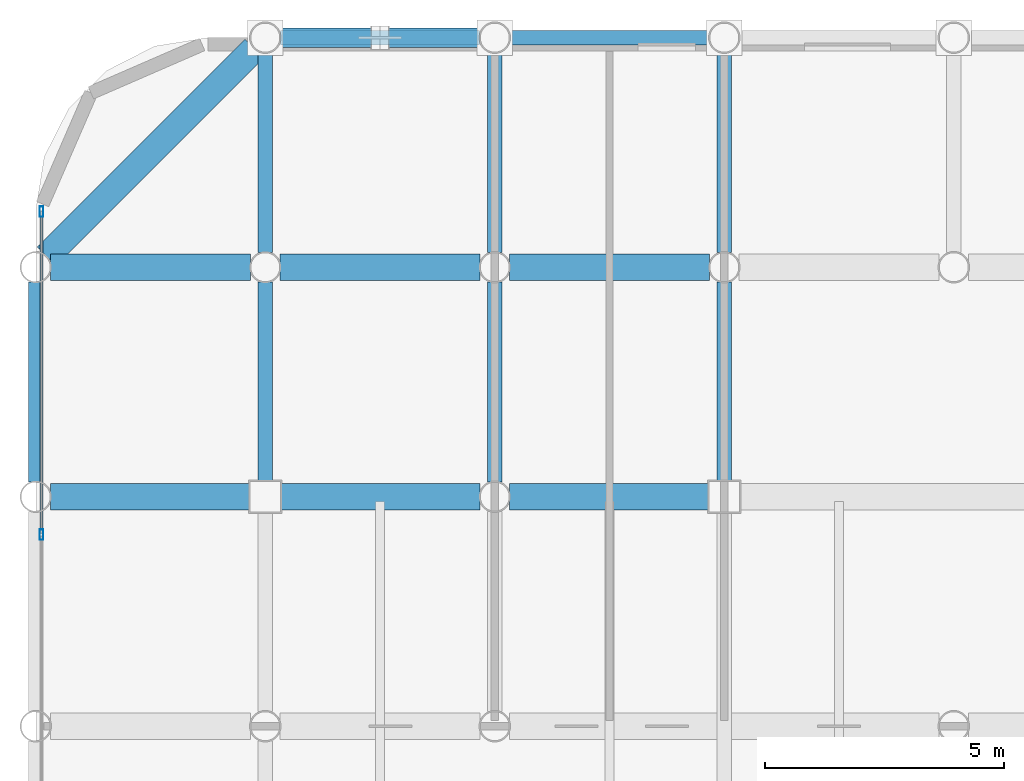
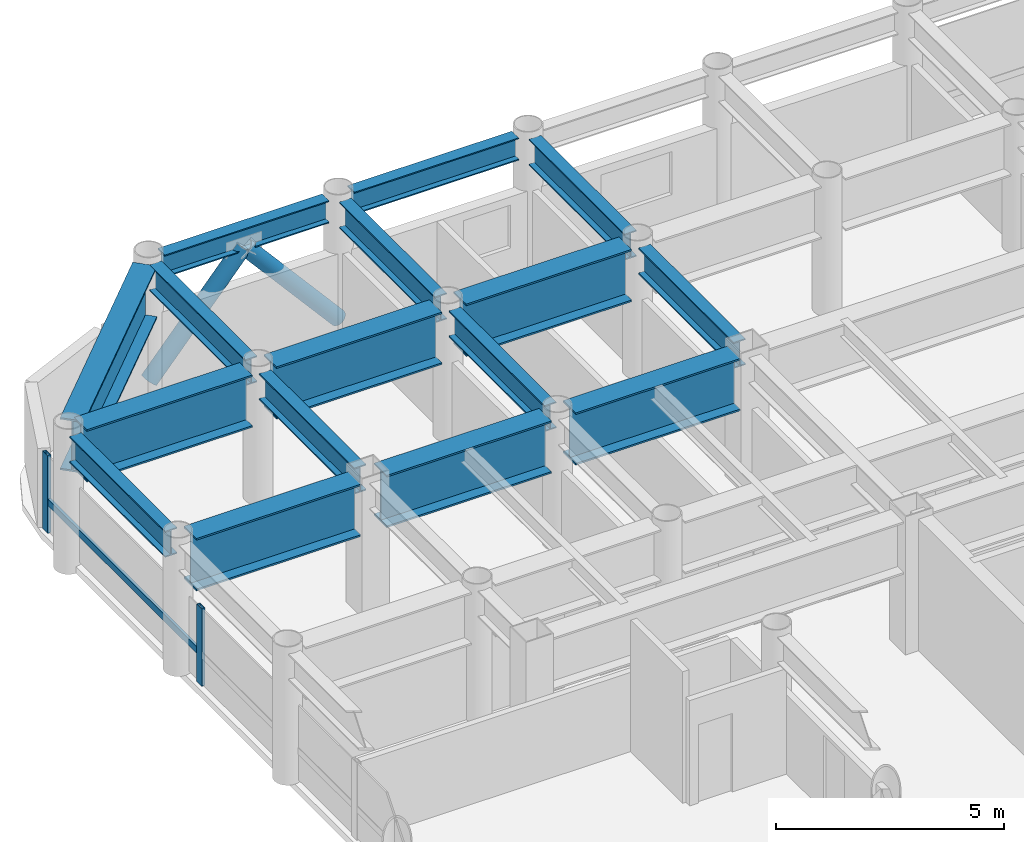
# One storey, part 11 of 22: 16 beams, 5 members, 1 element without a shape of its own.
"""IFC4 building model written with IfcOpenShell, lengths in metres."""

from ifc_helpers import new_model, si_unit, direction, frame, origin, origin_2d, place, context, subcontext, project, spatial, hollow_rectangle, hollow_circle, i_section, extrude, material, layer, layer_set, material_profile, profile_set, type_object, element, aggregate, save


model = new_model("IFC4")

# Units and contexts
model_context = context("Model", 3, precision=1e-05, world=origin(), true_north=direction((0.0, 1.0)))
body_context = subcontext(model_context, "Body", "Model", "MODEL_VIEW")
ifc_project = project(units=[si_unit("LENGTHUNIT", "METRE"), si_unit("AREAUNIT", "SQUARE_METRE"), si_unit("VOLUMEUNIT", "CUBIC_METRE"), si_unit("PLANEANGLEUNIT", "RADIAN"), si_unit("MASSUNIT", "GRAM", prefix="KILO")], contexts=[model_context])

# Site, building, storey
site_placement = place(None, origin())
site = spatial("IfcSite", under=ifc_project, at=site_placement, CompositionType="ELEMENT")
building_placement = place(site_placement, origin())
building = spatial("IfcBuilding", under=site, at=building_placement, Name="Kallvorn Hotel Tower", CompositionType="ELEMENT")
storey_placement = place(building_placement, frame((0.0, 0.0, 95.199951171875)))
storey = spatial("IfcBuildingStorey", under=building, at=storey_placement, Name="L22", CompositionType="ELEMENT", Elevation=95.199951171875)

# Beams
ifc_material_1 = material(Name="Structural steel S355JR", Category="steel")
ifc_material_profile_1 = material_profile(ifc_material_1, i_section(OverallWidth=0.300048828125, OverallDepth=0.60009765625, WebThickness=0.015380859375, FlangeThickness=0.030029296875, at=origin_2d()), Name="HE 600 B")
ifc_profile_set_1 = profile_set([ifc_material_profile_1], Name="Structural steel S355JR")
beam_type_1 = type_object("IfcBeamType", Name="BM_HE600B", PredefinedType="SPANDREL", material=ifc_profile_set_1)
for number, where, z_axis, x_axis, name in (
    (1, (-23.679931640625, 24.0, 3.219970703125), (1.0, 0.0, 0.0), (0.0, 1.0, 0.0), "L23 Perimeter Spandrel 163"),
    (2, (-18.8798828125, 24.0, 3.219970703125), (1.0, 0.0, 0.0), (0.0, 1.0, 0.0), "L23 Perimeter Spandrel 164"),
):
    element("IfcBeam", number, at=place(storey_placement, frame(where, z_axis=z_axis, x_axis=x_axis)), inside=storey, type_object=beam_type_1, Name=name, PredefinedType="SPANDREL", context=body_context, shape_type="SweptSolid", body=[
        extrude(i_section(OverallWidth=0.300048828125, OverallDepth=0.60009765625, WebThickness=0.015380859375, FlangeThickness=0.030029296875, at=origin_2d()), origin(), (0.0, 0.0, 1.0), 4.159912109375),
    ])
ifc_material_2 = material(Name="Structural steel S355JR", Category="steel")
ifc_material_profile_2 = material_profile(ifc_material_2, i_section(OverallWidth=0.300048828125, OverallDepth=0.699951171875, WebThickness=0.01708984375, FlangeThickness=0.031982421875, at=origin_2d()), Name="HE 700 B")
ifc_profile_set_2 = profile_set([ifc_material_profile_2], Name="Structural steel S355JR")
beam_type_2 = type_object("IfcBeamType", Name="BM_HE700B", PredefinedType="BEAM", material=ifc_profile_set_2)
beam_1_placement = place(storey_placement, frame((-28.800048828125, 14.705078125, 3.170166015625), z_axis=(0.0, 1.0, 0.0), x_axis=(-1.0, 0.0, 0.0)))
element("IfcBeam", 3, at=beam_1_placement, inside=storey, type_object=beam_type_2, Name="L23 Primary Y-Girder 80", PredefinedType="BEAM", context=body_context, shape_type="SweptSolid", body=[
    extrude(i_section(OverallWidth=0.300048828125, OverallDepth=0.699951171875, WebThickness=0.01708984375, FlangeThickness=0.031982421875, at=origin_2d()), origin(), (0.0, 0.0, 1.0), 4.18994140625),
])
beam_2_placement = place(storey_placement, frame((-24.0, 14.72509765625, 3.170166015625), z_axis=(0.0, 1.0, 0.0), x_axis=(-1.0, 0.0, 0.0)))
element("IfcBeam", 4, at=beam_2_placement, inside=storey, type_object=beam_type_2, Name="L23 Primary Y-Girder 86", PredefinedType="BEAM", context=body_context, shape_type="SweptSolid", body=[
    extrude(i_section(OverallWidth=0.300048828125, OverallDepth=0.699951171875, WebThickness=0.01708984375, FlangeThickness=0.031982421875, at=origin_2d()), origin(), (0.0, 0.0, 1.0), 4.169921875),
])
beam_3_placement = place(storey_placement, frame((-24.0, 19.5048828125, 3.170166015625), z_axis=(0.0, 1.0, 0.0), x_axis=(-1.0, 0.0, 0.0)))
element("IfcBeam", 5, at=beam_3_placement, inside=storey, type_object=beam_type_2, Name="L23 Primary Y-Girder 87", PredefinedType="BEAM", context=body_context, shape_type="SweptSolid", body=[
    extrude(i_section(OverallWidth=0.300048828125, OverallDepth=0.699951171875, WebThickness=0.01708984375, FlangeThickness=0.031982421875, at=origin_2d()), origin(), (0.0, 0.0, 1.0), 4.190185546875),
])
beam_4_placement = place(storey_placement, frame((-19.199951171875, 14.705078125, 3.170166015625), z_axis=(0.0, 1.0, 0.0), x_axis=(-1.0, 0.0, 0.0)))
element("IfcBeam", 6, at=beam_4_placement, inside=storey, type_object=beam_type_2, Name="L23 Primary Y-Girder 95", PredefinedType="BEAM", context=body_context, shape_type="SweptSolid", body=[
    extrude(i_section(OverallWidth=0.300048828125, OverallDepth=0.699951171875, WebThickness=0.01708984375, FlangeThickness=0.031982421875, at=origin_2d()), origin(), (0.0, 0.0, 1.0), 4.18994140625),
])
beam_5_placement = place(storey_placement, frame((-19.199951171875, 19.5048828125, 3.170166015625), z_axis=(0.0, 1.0, 0.0), x_axis=(-1.0, 0.0, 0.0)))
element("IfcBeam", 7, at=beam_5_placement, inside=storey, type_object=beam_type_2, Name="L23 Primary Y-Girder 96", PredefinedType="BEAM", context=body_context, shape_type="SweptSolid", body=[
    extrude(i_section(OverallWidth=0.300048828125, OverallDepth=0.699951171875, WebThickness=0.01708984375, FlangeThickness=0.031982421875, at=origin_2d()), origin(), (0.0, 0.0, 1.0), 4.190185546875),
])
beam_6_placement = place(storey_placement, frame((-14.39990234375, 14.72509765625, 3.170166015625), z_axis=(0.0, 1.0, 0.0), x_axis=(-1.0, 0.0, 0.0)))
element("IfcBeam", 8, at=beam_6_placement, inside=storey, type_object=beam_type_2, Name="L23 Primary Y-Girder 100", PredefinedType="BEAM", context=body_context, shape_type="SweptSolid", body=[
    extrude(i_section(OverallWidth=0.300048828125, OverallDepth=0.699951171875, WebThickness=0.01708984375, FlangeThickness=0.031982421875, at=origin_2d()), origin(), (0.0, 0.0, 1.0), 4.169921875),
])
beam_7_placement = place(storey_placement, frame((-14.39990234375, 19.5048828125, 3.170166015625), z_axis=(0.0, 1.0, 0.0), x_axis=(-1.0, 0.0, 0.0)))
element("IfcBeam", 9, at=beam_7_placement, inside=storey, type_object=beam_type_2, Name="L23 Primary Y-Girder 101", PredefinedType="BEAM", context=body_context, shape_type="SweptSolid", body=[
    extrude(i_section(OverallWidth=0.300048828125, OverallDepth=0.699951171875, WebThickness=0.01708984375, FlangeThickness=0.031982421875, at=origin_2d()), origin(), (0.0, 0.0, 1.0), 4.190185546875),
])
ifc_material_3 = material(Name="Structural steel S355JR", Category="steel")
ifc_material_profile_3 = material_profile(ifc_material_3, i_section(OverallWidth=0.550048828125, OverallDepth=1.39990234375, WebThickness=0.02490234375, FlangeThickness=0.044921875, at=origin_2d()), Name="PG 1400x550x25x45")
ifc_profile_set_3 = profile_set([ifc_material_profile_3], Name="Structural steel S355JR")
beam_type_3 = type_object("IfcBeamType", Name="BM_PG_1400", PredefinedType="BEAM", material=ifc_profile_set_3)
for number, where, z_axis, x_axis, name in (
    (10, (-28.4951171875, 14.39990234375, 2.820068359375), (1.0, 0.0, 0.0), (0.0, 1.0, 0.0), "L23 Primary X-Girder 50"),
    (11, (-23.675048828125, 14.39990234375, 2.820068359375), (1.0, 0.0, 0.0), (0.0, 1.0, 0.0), "L23 Primary X-Girder 51"),
):
    element("IfcBeam", number, at=place(storey_placement, frame(where, z_axis=z_axis, x_axis=x_axis)), inside=storey, type_object=beam_type_3, Name=name, PredefinedType="BEAM", context=body_context, shape_type="SweptSolid", body=[
        extrude(i_section(OverallWidth=0.550048828125, OverallDepth=1.39990234375, WebThickness=0.02490234375, FlangeThickness=0.044921875, at=origin_2d()), origin(), (0.0, 0.0, 1.0), 4.170166015625),
    ])
beam_8_placement = place(storey_placement, frame((-18.89501953125, 14.39990234375, 2.820068359375), z_axis=(1.0, 0.0, 0.0), x_axis=(0.0, 1.0, 0.0)))
element("IfcBeam", 12, at=beam_8_placement, inside=storey, type_object=beam_type_3, Name="L23 Primary X-Girder 52", PredefinedType="BEAM", context=body_context, shape_type="SweptSolid", body=[
    extrude(i_section(OverallWidth=0.550048828125, OverallDepth=1.39990234375, WebThickness=0.02490234375, FlangeThickness=0.044921875, at=origin_2d()), origin(), (0.0, 0.0, 1.0), 4.169921875),
])
for number, where, z_axis, x_axis, name in (
    (13, (-28.4951171875, 19.199951171875, 2.820068359375), (1.0, 0.0, 0.0), (0.0, 1.0, 0.0), "L23 Primary X-Girder 60"),
    (14, (-23.695068359375, 19.199951171875, 2.820068359375), (1.0, 0.0, 0.0), (0.0, 1.0, 0.0), "L23 Primary X-Girder 61"),
):
    element("IfcBeam", number, at=place(storey_placement, frame(where, z_axis=z_axis, x_axis=x_axis)), inside=storey, type_object=beam_type_3, Name=name, PredefinedType="BEAM", context=body_context, shape_type="SweptSolid", body=[
        extrude(i_section(OverallWidth=0.550048828125, OverallDepth=1.39990234375, WebThickness=0.02490234375, FlangeThickness=0.044921875, at=origin_2d()), origin(), (0.0, 0.0, 1.0), 4.190185546875),
    ])
beam_9_placement = place(storey_placement, frame((-18.89501953125, 19.199951171875, 2.820068359375), z_axis=(1.0, 0.0, 0.0), x_axis=(0.0, 1.0, 0.0)))
element("IfcBeam", 15, at=beam_9_placement, inside=storey, type_object=beam_type_3, Name="L23 Primary X-Girder 62", PredefinedType="BEAM", context=body_context, shape_type="SweptSolid", body=[
    extrude(i_section(OverallWidth=0.550048828125, OverallDepth=1.39990234375, WebThickness=0.02490234375, FlangeThickness=0.044921875, at=origin_2d()), origin(), (0.0, 0.0, 1.0), 4.18994140625),
])
beam_10_placement = place(storey_placement, frame((-28.57373046875, 19.42626953125, 2.820068359375), z_axis=(0.707106781187, 0.707106781187, 0.0), x_axis=(-0.707106781187, 0.707106781187, 0.0)))
element("IfcBeam", 16, at=beam_10_placement, inside=storey, type_object=beam_type_3, Name="L23 Rounded Corner Tie Beam 189", PredefinedType="BEAM", context=body_context, shape_type="SweptSolid", body=[
    extrude(i_section(OverallWidth=0.550048828125, OverallDepth=1.39990234375, WebThickness=0.02490234375, FlangeThickness=0.044921875, at=origin_2d()), origin(), (0.0, 0.0, 1.0), 6.148193359375),
])

# Curtain wall, members
ifc_material_4 = material(Name="Thermally broken black-anodised aluminium AA 6063-T6", Category="aluminium")
ifc_layer = layer(ifc_material_4, 0.199951171875)
ifc_layer_set = layer_set([ifc_layer], Name="CW_SYS_3_HOTEL_LOW")
curtain_wall_type = type_object("IfcCurtainWallType", Name="CW_SYS_3_HOTEL_LOW", PredefinedType="USERDEFINED", material=ifc_layer_set)
curtain_wall_placement = place(storey_placement, origin())
curtain_wall = element("IfcCurtainWall", 17, at=curtain_wall_placement, inside=storey, type_object=curtain_wall_type, Name="L22 Dark-Glass Curtain Wall CW-L22-WN", ObjectType="UNITISED CURTAIN WALL", PredefinedType="USERDEFINED")
ifc_material_5 = material(Name="Thermally broken black-anodised aluminium AA 6063-T6", Category="aluminium")
ifc_material_profile_4 = material_profile(ifc_material_5, hollow_rectangle(XDim=0.080078125, YDim=0.219970703125, WallThickness=0.0048828125, at=origin_2d()), Name="MUL 220x80")
ifc_profile_set_4 = profile_set([ifc_material_profile_4], Name="Thermally broken black-anodised aluminium AA 6063-T6")
member_type_1 = type_object("IfcMemberType", Name="CW_MULLION_220x80", PredefinedType="MULLION", material=ifc_profile_set_4)
member_1_placement = place(storey_placement, frame((-28.679931640625, 13.606689453125, 0.02001953125), z_axis=(0.0, 0.0, 1.0), x_axis=(1.0, 0.0, 0.0)))
member_1 = element("IfcMember", 18, at=member_1_placement, type_object=member_type_1, Name="CW-L22-WN Mullion 02", PredefinedType="MULLION", context=body_context, shape_type="SweptSolid", body=[
    extrude(hollow_rectangle(XDim=0.080078125, YDim=0.219970703125, WallThickness=0.0048828125, at=origin_2d()), origin(), (0.0, 0.0, 1.0), 2.080078125),
])
member_2_placement = place(storey_placement, frame((-28.679931640625, 20.360107421875, 0.02001953125), z_axis=(0.0, 0.0, 1.0), x_axis=(1.0, 0.0, 0.0)))
member_2 = element("IfcMember", 19, at=member_2_placement, type_object=member_type_1, Name="CW-L22-WN Mullion 03", PredefinedType="MULLION", context=body_context, shape_type="SweptSolid", body=[
    extrude(hollow_rectangle(XDim=0.080078125, YDim=0.219970703125, WallThickness=0.0048828125, at=origin_2d()), origin(), (0.0, 0.0, 1.0), 2.080078125),
])
ifc_material_6 = material(Name="Thermally broken black-anodised aluminium AA 6063-T6", Category="aluminium")
ifc_material_profile_5 = material_profile(ifc_material_6, hollow_rectangle(XDim=0.070068359375, YDim=0.179931640625, WallThickness=0.00390625, at=origin_2d()), Name="TRN 180x70")
ifc_profile_set_5 = profile_set([ifc_material_profile_5], Name="Thermally broken black-anodised aluminium AA 6063-T6")
member_type_2 = type_object("IfcMemberType", Name="CW_TRANSOM_180x70", PredefinedType="USERDEFINED", material=ifc_profile_set_5)
member_3_placement = place(storey_placement, frame((-28.679931640625, 13.646728515625, 0.85009765625), z_axis=(0.0, 1.0, 0.0), x_axis=(-1.0, 0.0, 0.0)))
member_3 = element("IfcMember", 20, at=member_3_placement, type_object=member_type_2, Name="CW-L22-WN Transom 02M", ObjectType="TRANSOM", PredefinedType="USERDEFINED", context=body_context, shape_type="SweptSolid", body=[
    extrude(hollow_rectangle(XDim=0.070068359375, YDim=0.179931640625, WallThickness=0.00390625, at=origin_2d()), origin(), (0.0, 0.0, 1.0), 6.71337890625),
])
aggregate(curtain_wall, [member_1, member_2, member_3])

# Members
ifc_material_7 = material(Name="Structural steel S355J2H", Category="steel")
ifc_material_profile_6 = material_profile(ifc_material_7, hollow_circle(Radius=0.203125, WallThickness=0.01611328125, at=origin_2d()), Name="CHS 406.4x16")
ifc_profile_set_6 = profile_set([ifc_material_profile_6], Name="Structural steel S355J2H")
member_type_3 = type_object("IfcMemberType", Name="MBR_EXO_CHS406", PredefinedType="BRACE", material=ifc_profile_set_6)
for number, where, z_axis, x_axis, name in (
    (21, (-23.98681640625, 24.0, 0.195068359375), (0.653427382465, 0.0, 0.756989204576), (0.0, 1.0, 0.0), "L22 Exoskeleton K-Brace N1A"),
    (22, (-19.213134765625, 24.0, 0.195068359375), (-0.653427382465, 0.0, 0.756989204576), (0.0, -1.0, 0.0), "L22 Exoskeleton K-Brace N1B"),
):
    element("IfcMember", number, at=place(storey_placement, frame(where, z_axis=z_axis, x_axis=x_axis)), inside=storey, type_object=member_type_3, Name=name, PredefinedType="BRACE", context=body_context, shape_type="SweptSolid", body=[
        extrude(hollow_circle(Radius=0.203125, WallThickness=0.01611328125, at=origin_2d()), origin(), (0.0, 0.0, 1.0), 3.6328125),
    ])

save(model, "model.ifc")
